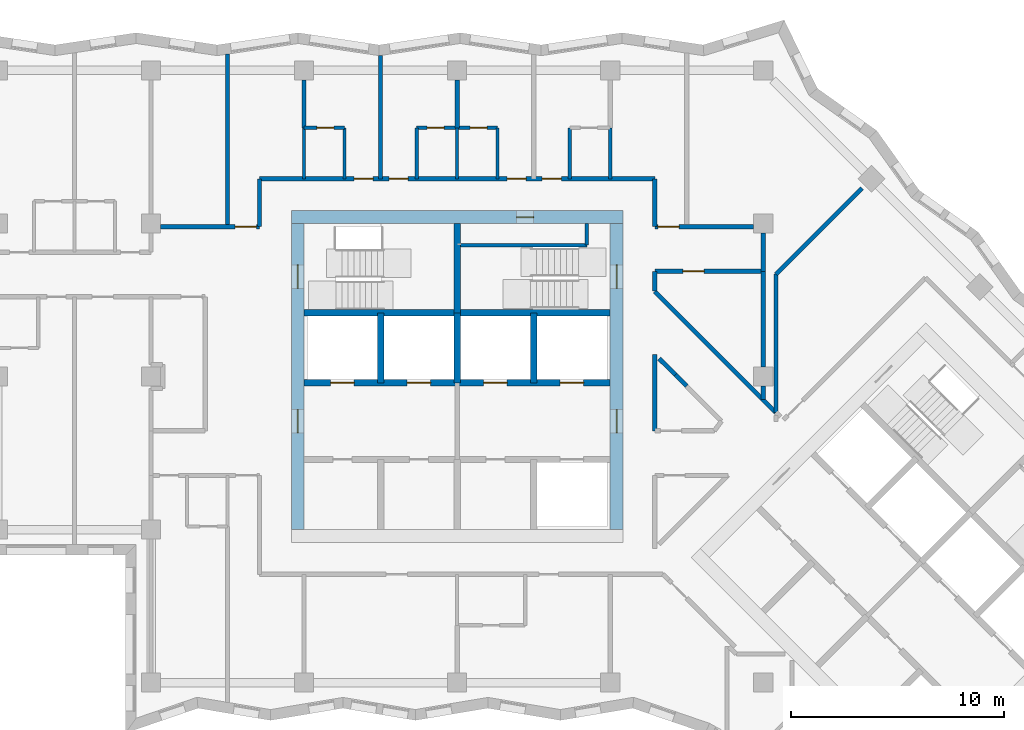
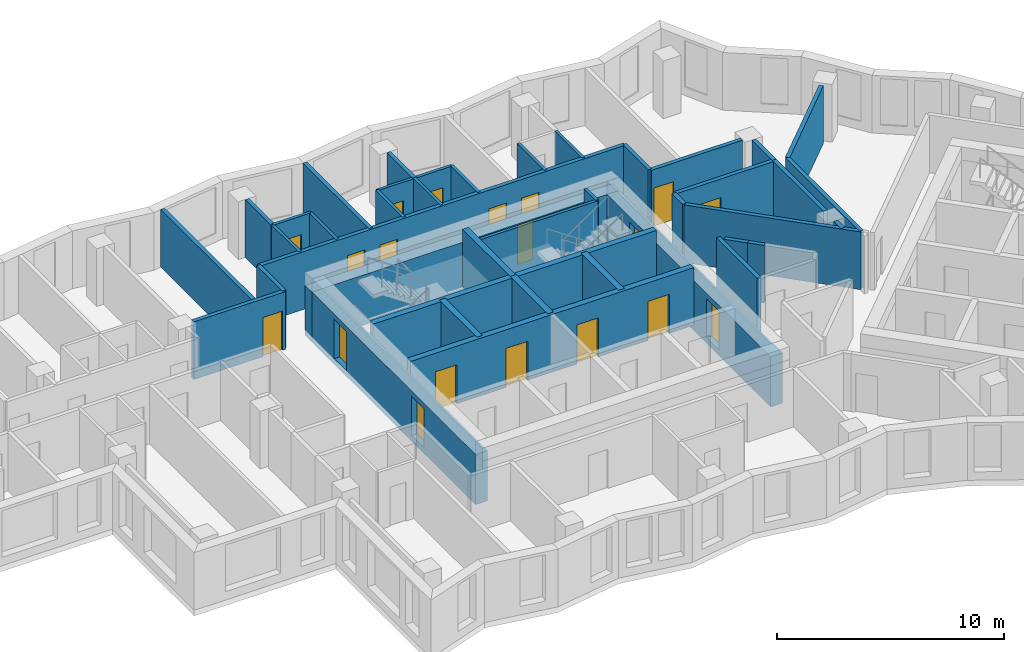
# One storey, part 6 of 12: 41 walls, 19 doors, 19 openings.
"""IFC4 building model written with IfcOpenShell, lengths in metres."""

from ifc_helpers import new_model, si_unit, direction, frame, frame_2d, origin, place, context, subcontext, project, spatial, rectangle, extrude, material, layer, layer_set, type_object, element, fill, save


model = new_model("IFC4")

# Units and contexts
model_context = context("Model", 3, precision=1e-05, world=origin(), true_north=direction((0.0, 1.0)))
body_context = subcontext(model_context, "Body", "Model", "MODEL_VIEW")
ifc_project = project(units=[si_unit("LENGTHUNIT", "METRE"), si_unit("AREAUNIT", "SQUARE_METRE"), si_unit("VOLUMEUNIT", "CUBIC_METRE"), si_unit("PLANEANGLEUNIT", "RADIAN"), si_unit("MASSUNIT", "GRAM", prefix="KILO")], contexts=[model_context])

# Site, building, storey
site_placement = place(None, origin())
site = spatial("IfcSite", under=ifc_project, at=site_placement, CompositionType="ELEMENT")
building_placement = place(site_placement, origin())
building = spatial("IfcBuilding", under=site, at=building_placement, Name="Windrow Commons", CompositionType="ELEMENT")
storey_placement = place(building_placement, frame((0.0, 0.0, 166.0)))
storey = spatial("IfcBuildingStorey", under=building, at=storey_placement, Name="L45", CompositionType="ELEMENT", Elevation=166.0)

# Wall, openings, doors
ifc_material_1 = material(Name="Blockwork partition", Category="masonry")
ifc_layer_1 = layer(ifc_material_1, 0.2)
ifc_layer_set_1 = layer_set([ifc_layer_1], Name="IW-CORRIDOR-200")
wall_type_1 = type_object("IfcWallType", Name="IW-CORRIDOR-200", PredefinedType="PARTITIONING", material=ifc_layer_set_1)
wall_1_placement = place(storey_placement, frame((55.5, 66.9, 0.0), z_axis=(0.0, 0.0, 1.0), x_axis=(1.0, 0.0, 0.0)))
wall_1 = element("IfcWall", 1, at=wall_1_placement, inside=storey, type_object=wall_type_1, Name="W-L45-W002", PredefinedType="PARTITIONING", context=body_context, shape_type="SweptSolid", body=[
    extrude(rectangle(XDim=18.6, YDim=0.2, at=frame_2d((9.3, 0.0))), origin(), (0.0, 0.0, 1.0), 3.1),
])
opening_1_placement = place(wall_1_placement, frame((4.45, 0.0, 0.0)))
opening_1 = element("IfcOpeningElement", 2, at=opening_1_placement, cuts=wall_1, Name="Opening D109S", PredefinedType="OPENING", context=body_context, shape_type="SweptSolid", body=[
    extrude(rectangle(XDim=0.9, YDim=2.1, at=frame_2d((0.45, 1.05))), frame((0.0, 0.11, 0.0), z_axis=(0.0, -1.0, 0.0), x_axis=(1.0, 0.0, 0.0)), (0.0, 0.0, 1.0), 0.22),
])
opening_2_placement = place(wall_1_placement, frame((6.1, 0.0, 0.0)))
opening_2 = element("IfcOpeningElement", 3, at=opening_2_placement, cuts=wall_1, Name="Opening D109S", PredefinedType="OPENING", context=body_context, shape_type="SweptSolid", body=[
    extrude(rectangle(XDim=0.9, YDim=2.1, at=frame_2d((0.45, 1.05))), frame((0.0, 0.11, 0.0), z_axis=(0.0, -1.0, 0.0), x_axis=(1.0, 0.0, 0.0)), (0.0, 0.0, 1.0), 0.22),
])
opening_3_placement = place(wall_1_placement, frame((11.65, 0.0, 0.0)))
opening_3 = element("IfcOpeningElement", 4, at=opening_3_placement, cuts=wall_1, Name="Opening D109S", PredefinedType="OPENING", context=body_context, shape_type="SweptSolid", body=[
    extrude(rectangle(XDim=0.9, YDim=2.1, at=frame_2d((0.45, 1.05))), frame((0.0, 0.11, 0.0), z_axis=(0.0, -1.0, 0.0), x_axis=(1.0, 0.0, 0.0)), (0.0, 0.0, 1.0), 0.22),
])
opening_4_placement = place(wall_1_placement, frame((13.3, 0.0, 0.0)))
opening_4 = element("IfcOpeningElement", 5, at=opening_4_placement, cuts=wall_1, Name="Opening D109S", PredefinedType="OPENING", context=body_context, shape_type="SweptSolid", body=[
    extrude(rectangle(XDim=0.9, YDim=2.1, at=frame_2d((0.45, 1.05))), frame((0.0, 0.11, 0.0), z_axis=(0.0, -1.0, 0.0), x_axis=(1.0, 0.0, 0.0)), (0.0, 0.0, 1.0), 0.22),
])
ifc_material_2 = material(Name="Timber door leaf", Category="wood")
door_type_1 = type_object("IfcDoorType", Name="DT-BEDROOM-900", OperationType="SINGLE_SWING_LEFT", PredefinedType="DOOR", material=ifc_material_2)
door_1_placement = place(opening_1_placement, origin())
door_1 = element("IfcDoor", 6, at=door_1_placement, inside=storey, type_object=door_type_1, Name="D-L45-D028", OperationType="SINGLE_SWING_RIGHT", OverallHeight=2.1, OverallWidth=0.9, PredefinedType="DOOR", context=body_context, shape_type="SweptSolid", body=[
    extrude(rectangle(XDim=0.9, YDim=2.1, at=frame_2d((0.45, 1.05))), frame((0.0, 0.025, 0.0), z_axis=(0.0, -1.0, 0.0), x_axis=(1.0, 0.0, 0.0)), (0.0, 0.0, 1.0), 0.05),
])
fill(opening_1, door_1)
door_2_placement = place(opening_2_placement, origin())
door_2 = element("IfcDoor", 7, at=door_2_placement, inside=storey, type_object=door_type_1, Name="D-L45-D030", OperationType="SINGLE_SWING_LEFT", OverallHeight=2.1, OverallWidth=0.9, PredefinedType="DOOR", context=body_context, shape_type="SweptSolid", body=[
    extrude(rectangle(XDim=0.9, YDim=2.1, at=frame_2d((0.45, 1.05))), frame((0.0, 0.025, 0.0), z_axis=(0.0, -1.0, 0.0), x_axis=(1.0, 0.0, 0.0)), (0.0, 0.0, 1.0), 0.05),
])
fill(opening_2, door_2)
door_3_placement = place(opening_3_placement, origin())
door_3 = element("IfcDoor", 8, at=door_3_placement, inside=storey, type_object=door_type_1, Name="D-L45-D032", OperationType="SINGLE_SWING_RIGHT", OverallHeight=2.1, OverallWidth=0.9, PredefinedType="DOOR", context=body_context, shape_type="SweptSolid", body=[
    extrude(rectangle(XDim=0.9, YDim=2.1, at=frame_2d((0.45, 1.05))), frame((0.0, 0.025, 0.0), z_axis=(0.0, -1.0, 0.0), x_axis=(1.0, 0.0, 0.0)), (0.0, 0.0, 1.0), 0.05),
])
fill(opening_3, door_3)
door_4_placement = place(opening_4_placement, origin())
door_4 = element("IfcDoor", 9, at=door_4_placement, inside=storey, type_object=door_type_1, Name="D-L45-D034", OperationType="SINGLE_SWING_LEFT", OverallHeight=2.1, OverallWidth=0.9, PredefinedType="DOOR", context=body_context, shape_type="SweptSolid", body=[
    extrude(rectangle(XDim=0.9, YDim=2.1, at=frame_2d((0.45, 1.05))), frame((0.0, 0.025, 0.0), z_axis=(0.0, -1.0, 0.0), x_axis=(1.0, 0.0, 0.0)), (0.0, 0.0, 1.0), 0.05),
])
fill(opening_4, door_4)

# Wall
wall_2_placement = place(storey_placement, frame((74.097, 61.611, 0.0), z_axis=(0.0, 0.0, 1.0), x_axis=(0.7071067812, -0.7071067812, 0.0)))
element("IfcWall", 10, at=wall_2_placement, inside=storey, type_object=wall_type_1, Name="W-L45-W016", PredefinedType="PARTITIONING", context=body_context, shape_type="SweptSolid", body=[
    extrude(rectangle(XDim=8.061, YDim=0.2, at=frame_2d((4.0305, 0.0))), origin(), (0.0, 0.0, 1.0), 3.1),
])

# Wall, opening, door
wall_3_placement = place(storey_placement, frame((74.102, 62.55, 0.0), z_axis=(0.0, 0.0, 1.0), x_axis=(1.0, 0.0, 0.0)))
wall_3 = element("IfcWall", 11, at=wall_3_placement, inside=storey, type_object=wall_type_1, Name="W-L45-W036", PredefinedType="PARTITIONING", context=body_context, shape_type="SweptSolid", body=[
    extrude(rectangle(XDim=5.098, YDim=0.2, at=frame_2d((2.549, 0.0))), origin(), (0.0, 0.0, 1.0), 3.1),
])
opening_5_placement = place(wall_3_placement, frame((1.3192, 0.0, 0.0)))
opening_5 = element("IfcOpeningElement", 12, at=opening_5_placement, cuts=wall_3, Name="Opening D310F", PredefinedType="OPENING", context=body_context, shape_type="SweptSolid", body=[
    extrude(rectangle(XDim=1.0, YDim=2.1, at=frame_2d((0.5, 1.05))), frame((0.0, 0.11, 0.0), z_axis=(0.0, -1.0, 0.0), x_axis=(1.0, 0.0, 0.0)), (0.0, 0.0, 1.0), 0.22),
])
ifc_material_3 = material(Name="Timber door leaf", Category="wood")
door_type_2 = type_object("IfcDoorType", Name="DT-AMENITY-1000", OperationType="SINGLE_SWING_LEFT", PredefinedType="DOOR", material=ifc_material_3)
door_5_placement = place(opening_5_placement, origin())
door_5 = element("IfcDoor", 13, at=door_5_placement, inside=storey, type_object=door_type_2, Name="D-L45-D040", OperationType="SINGLE_SWING_RIGHT", OverallHeight=2.1, OverallWidth=1.0, PredefinedType="DOOR", context=body_context, shape_type="SweptSolid", body=[
    extrude(rectangle(XDim=1.0, YDim=2.1, at=frame_2d((0.5, 1.05))), frame((0.0, 0.025, 0.0), z_axis=(0.0, -1.0, 0.0), x_axis=(1.0, 0.0, 0.0)), (0.0, 0.0, 1.0), 0.05),
])
fill(opening_5, door_5)

wall_4_placement = place(storey_placement, frame((50.85, 64.65, 0.0), z_axis=(0.0, 0.0, 1.0), x_axis=(1.0, 0.0, 0.0)))
wall_4 = element("IfcWall", 14, at=wall_4_placement, inside=storey, type_object=wall_type_1, Name="W-L45-W040", PredefinedType="PARTITIONING", context=body_context, shape_type="SweptSolid", body=[
    extrude(rectangle(XDim=4.65, YDim=0.2, at=frame_2d((2.325, 0.0))), origin(), (0.0, 0.0, 1.0), 3.1),
])
opening_6_placement = place(wall_4_placement, frame((3.5085, 0.0, 0.0)))
opening_6 = element("IfcOpeningElement", 15, at=opening_6_placement, cuts=wall_4, Name="Opening D310F", PredefinedType="OPENING", context=body_context, shape_type="SweptSolid", body=[
    extrude(rectangle(XDim=1.0, YDim=2.1, at=frame_2d((0.5, 1.05))), frame((0.0, 0.11, 0.0), z_axis=(0.0, -1.0, 0.0), x_axis=(1.0, 0.0, 0.0)), (0.0, 0.0, 1.0), 0.22),
])
door_6_placement = place(opening_6_placement, origin())
door_6 = element("IfcDoor", 16, at=door_6_placement, inside=storey, type_object=door_type_2, Name="D-L45-D022", OperationType="SINGLE_SWING_LEFT", OverallHeight=2.1, OverallWidth=1.0, PredefinedType="DOOR", context=body_context, shape_type="SweptSolid", body=[
    extrude(rectangle(XDim=1.0, YDim=2.1, at=frame_2d((0.5, 1.05))), frame((0.0, 0.025, 0.0), z_axis=(0.0, -1.0, 0.0), x_axis=(1.0, 0.0, 0.0)), (0.0, 0.0, 1.0), 0.05),
])
fill(opening_6, door_6)

wall_5_placement = place(storey_placement, frame((74.102, 64.65, 0.0), z_axis=(0.0, 0.0, 1.0), x_axis=(1.0, 0.0, 0.0)))
wall_5 = element("IfcWall", 17, at=wall_5_placement, inside=storey, type_object=wall_type_1, Name="W-L45-W043", PredefinedType="PARTITIONING", context=body_context, shape_type="SweptSolid", body=[
    extrude(rectangle(XDim=4.648, YDim=0.2, at=frame_2d((2.324, 0.0))), origin(), (0.0, 0.0, 1.0), 3.1),
])
opening_7_placement = place(wall_5_placement, frame((0.1395, 0.0, 0.0)))
opening_7 = element("IfcOpeningElement", 18, at=opening_7_placement, cuts=wall_5, Name="Opening D310F", PredefinedType="OPENING", context=body_context, shape_type="SweptSolid", body=[
    extrude(rectangle(XDim=1.0, YDim=2.1, at=frame_2d((0.5, 1.05))), frame((0.0, 0.11, 0.0), z_axis=(0.0, -1.0, 0.0), x_axis=(1.0, 0.0, 0.0)), (0.0, 0.0, 1.0), 0.22),
])
door_7_placement = place(opening_7_placement, origin())
door_7 = element("IfcDoor", 19, at=door_7_placement, inside=storey, type_object=door_type_2, Name="D-L45-D023", OperationType="SINGLE_SWING_RIGHT", OverallHeight=2.1, OverallWidth=1.0, PredefinedType="DOOR", context=body_context, shape_type="SweptSolid", body=[
    extrude(rectangle(XDim=1.0, YDim=2.1, at=frame_2d((0.5, 1.05))), frame((0.0, 0.025, 0.0), z_axis=(0.0, -1.0, 0.0), x_axis=(1.0, 0.0, 0.0)), (0.0, 0.0, 1.0), 0.05),
])
fill(opening_7, door_7)

# Walls
wall_6_placement = place(storey_placement, frame((74.1, 55.05, 0.0), z_axis=(0.0, 0.0, 1.0), x_axis=(0.0, 1.0, 0.0)))
element("IfcWall", 20, at=wall_6_placement, inside=storey, type_object=wall_type_1, Name="W-L45-W054", PredefinedType="PARTITIONING", context=body_context, shape_type="SweptSolid", body=[
    extrude(rectangle(XDim=3.592, YDim=0.2, at=frame_2d((1.796, 0.0))), origin(), (0.0, 0.0, 1.0), 3.1),
])
for number, where, z_axis, x_axis, name in (
    (21, (55.5, 64.652, 0.0), (0.0, 0.0, 1.0), (0.0, 1.0, 0.0), "W-L45-W106"),
    (22, (74.1, 64.652, 0.0), (0.0, 0.0, 1.0), (0.0, 1.0, 0.0), "W-L45-W107"),
):
    element("IfcWall", number, at=place(storey_placement, frame(where, z_axis=z_axis, x_axis=x_axis)), inside=storey, type_object=wall_type_1, Name=name, PredefinedType="PARTITIONING", context=body_context, shape_type="SweptSolid", body=[
        extrude(rectangle(XDim=2.248, YDim=0.2, at=frame_2d((1.124, 0.0))), origin(), (0.0, 0.0, 1.0), 3.1),
    ])
wall_7_placement = place(storey_placement, frame((79.2, 62.55, 0.0), z_axis=(0.0, 0.0, 1.0), x_axis=(0.0, 1.0, 0.0)))
element("IfcWall", 23, at=wall_7_placement, inside=storey, type_object=wall_type_1, Name="W-L45-W127", PredefinedType="PARTITIONING", context=body_context, shape_type="SweptSolid", body=[
    extrude(rectangle(XDim=1.8, YDim=0.2, at=frame_2d((0.9, 0.0))), origin(), (0.0, 0.0, 1.0), 3.1),
])
wall_8_placement = place(storey_placement, frame((74.3004, 58.4444, 0.0), z_axis=(0.0, 0.0, 1.0), x_axis=(0.7080329185, -0.7061794292, 0.0)))
element("IfcWall", 24, at=wall_8_placement, inside=storey, type_object=wall_type_1, Name="W-L45-W131", PredefinedType="PARTITIONING", context=body_context, shape_type="SweptSolid", body=[
    extrude(rectangle(XDim=1.079, YDim=0.2, at=frame_2d((0.5395, 0.0))), origin(), (0.0, 0.0, 1.0), 3.1),
])
wall_9_placement = place(storey_placement, frame((74.1, 61.614, 0.0), z_axis=(0.0, 0.0, 1.0), x_axis=(0.0, 1.0, 0.0)))
element("IfcWall", 25, at=wall_9_placement, inside=storey, type_object=wall_type_1, Name="W-L45-W136", PredefinedType="PARTITIONING", context=body_context, shape_type="SweptSolid", body=[
    extrude(rectangle(XDim=0.936, YDim=0.2, at=frame_2d((0.468, 0.0))), origin(), (0.0, 0.0, 1.0), 3.1),
])
wall_10_placement = place(storey_placement, frame((75.0652, 57.6832, 0.0), z_axis=(0.0, 0.0, 1.0), x_axis=(0.705788785, -0.7084223253, 0.0)))
element("IfcWall", 26, at=wall_10_placement, inside=storey, type_object=wall_type_1, Name="W-L45-W143", PredefinedType="PARTITIONING", context=body_context, shape_type="SweptSolid", body=[
    extrude(rectangle(XDim=0.7594, YDim=0.2, at=frame_2d((0.3797, 0.0))), origin(), (0.0, 0.0, 1.0), 3.1),
])

# Wall, openings, doors
ifc_material_4 = material(Name="Blockwork partition", Category="masonry")
ifc_layer_2 = layer(ifc_material_4, 0.15)
ifc_layer_set_2 = layer_set([ifc_layer_2], Name="IW-ENSUITE-150")
wall_type_2 = type_object("IfcWallType", Name="IW-ENSUITE-150", PredefinedType="PARTITIONING", material=ifc_layer_set_2)
wall_11_placement = place(storey_placement, frame((62.9, 69.3, 0.0), z_axis=(0.0, 0.0, 1.0), x_axis=(1.0, 0.0, 0.0)))
wall_11 = element("IfcWall", 27, at=wall_11_placement, inside=storey, type_object=wall_type_2, Name="W-L45-W052", PredefinedType="PARTITIONING", context=body_context, shape_type="SweptSolid", body=[
    extrude(rectangle(XDim=3.8, YDim=0.15, at=frame_2d((1.9, 0.0))), origin(), (0.0, 0.0, 1.0), 3.1),
])
opening_8_placement = place(wall_11_placement, frame((0.4931, 0.0, 0.0)))
opening_8 = element("IfcOpeningElement", 28, at=opening_8_placement, cuts=wall_11, Name="Opening D208N", PredefinedType="OPENING", context=body_context, shape_type="SweptSolid", body=[
    extrude(rectangle(XDim=0.8, YDim=2.1, at=frame_2d((0.4, 1.05))), frame((0.0, 0.085, 0.0), z_axis=(0.0, -1.0, 0.0), x_axis=(1.0, 0.0, 0.0)), (0.0, 0.0, 1.0), 0.17),
])
opening_9_placement = place(wall_11_placement, frame((2.5069, 0.0, 0.0)))
opening_9 = element("IfcOpeningElement", 29, at=opening_9_placement, cuts=wall_11, Name="Opening D208N", PredefinedType="OPENING", context=body_context, shape_type="SweptSolid", body=[
    extrude(rectangle(XDim=0.8, YDim=2.1, at=frame_2d((0.4, 1.05))), frame((0.0, 0.085, 0.0), z_axis=(0.0, -1.0, 0.0), x_axis=(1.0, 0.0, 0.0)), (0.0, 0.0, 1.0), 0.17),
])
ifc_material_5 = material(Name="Timber door leaf", Category="wood")
door_type_3 = type_object("IfcDoorType", Name="DT-ENSUITE-800", OperationType="SINGLE_SWING_LEFT", PredefinedType="DOOR", material=ifc_material_5)
door_8_placement = place(opening_8_placement, origin())
door_8 = element("IfcDoor", 30, at=door_8_placement, inside=storey, type_object=door_type_3, Name="D-L45-D031", OperationType="SINGLE_SWING_RIGHT", OverallHeight=2.1, OverallWidth=0.8, PredefinedType="DOOR", context=body_context, shape_type="SweptSolid", body=[
    extrude(rectangle(XDim=0.8, YDim=2.1, at=frame_2d((0.4, 1.05))), frame((0.0, 0.025, 0.0), z_axis=(0.0, -1.0, 0.0), x_axis=(1.0, 0.0, 0.0)), (0.0, 0.0, 1.0), 0.05),
])
fill(opening_8, door_8)
door_9_placement = place(opening_9_placement, origin())
door_9 = element("IfcDoor", 31, at=door_9_placement, inside=storey, type_object=door_type_3, Name="D-L45-D033", OperationType="SINGLE_SWING_RIGHT", OverallHeight=2.1, OverallWidth=0.8, PredefinedType="DOOR", context=body_context, shape_type="SweptSolid", body=[
    extrude(rectangle(XDim=0.8, YDim=2.1, at=frame_2d((0.4, 1.05))), frame((0.0, 0.025, 0.0), z_axis=(0.0, -1.0, 0.0), x_axis=(1.0, 0.0, 0.0)), (0.0, 0.0, 1.0), 0.05),
])
fill(opening_9, door_9)

# Walls
for number, where, z_axis, x_axis, name in (
    (32, (57.6, 66.9, 0.0), (0.0, 0.0, 1.0), (0.0, 1.0, 0.0), "W-L45-W086"),
    (33, (59.5, 66.9, 0.0), (0.0, 0.0, 1.0), (0.0, 1.0, 0.0), "W-L45-W087"),
    (34, (62.9, 66.9, 0.0), (0.0, 0.0, 1.0), (0.0, 1.0, 0.0), "W-L45-W088"),
    (35, (64.8, 66.9, 0.0), (0.0, 0.0, 1.0), (0.0, 1.0, 0.0), "W-L45-W089"),
    (36, (66.7, 66.9, 0.0), (0.0, 0.0, 1.0), (0.0, 1.0, 0.0), "W-L45-W090"),
    (37, (70.1, 66.9, 0.0), (0.0, 0.0, 1.0), (0.0, 1.0, 0.0), "W-L45-W091"),
    (38, (72.0, 66.9, 0.0), (0.0, 0.0, 1.0), (0.0, 1.0, 0.0), "W-L45-W092"),
):
    element("IfcWall", number, at=place(storey_placement, frame(where, z_axis=z_axis, x_axis=x_axis)), inside=storey, type_object=wall_type_2, Name=name, PredefinedType="PARTITIONING", context=body_context, shape_type="SweptSolid", body=[
        extrude(rectangle(XDim=2.4, YDim=0.15, at=frame_2d((1.2, 0.0))), origin(), (0.0, 0.0, 1.0), 3.1),
    ])

# Wall, opening, door
wall_12_placement = place(storey_placement, frame((57.6, 69.3, 0.0), z_axis=(0.0, 0.0, 1.0), x_axis=(1.0, 0.0, 0.0)))
wall_12 = element("IfcWall", 39, at=wall_12_placement, inside=storey, type_object=wall_type_2, Name="W-L45-W124", PredefinedType="PARTITIONING", context=body_context, shape_type="SweptSolid", body=[
    extrude(rectangle(XDim=1.9, YDim=0.15, at=frame_2d((0.95, 0.0))), origin(), (0.0, 0.0, 1.0), 3.1),
])
opening_10_placement = place(wall_12_placement, frame((0.6069, 0.0, 0.0)))
opening_10 = element("IfcOpeningElement", 40, at=opening_10_placement, cuts=wall_12, Name="Opening D208N", PredefinedType="OPENING", context=body_context, shape_type="SweptSolid", body=[
    extrude(rectangle(XDim=0.8, YDim=2.1, at=frame_2d((0.4, 1.05))), frame((0.0, 0.085, 0.0), z_axis=(0.0, -1.0, 0.0), x_axis=(1.0, 0.0, 0.0)), (0.0, 0.0, 1.0), 0.17),
])
door_10_placement = place(opening_10_placement, origin())
door_10 = element("IfcDoor", 41, at=door_10_placement, inside=storey, type_object=door_type_3, Name="D-L45-D029", OperationType="SINGLE_SWING_RIGHT", OverallHeight=2.1, OverallWidth=0.8, PredefinedType="DOOR", context=body_context, shape_type="SweptSolid", body=[
    extrude(rectangle(XDim=0.8, YDim=2.1, at=frame_2d((0.4, 1.05))), frame((0.0, 0.025, 0.0), z_axis=(0.0, -1.0, 0.0), x_axis=(1.0, 0.0, 0.0)), (0.0, 0.0, 1.0), 0.05),
])
fill(opening_10, door_10)

# Walls
ifc_material_6 = material(Name="Blockwork partition", Category="masonry")
ifc_layer_3 = layer(ifc_material_6, 0.2)
ifc_layer_set_3 = layer_set([ifc_layer_3], Name="IW-PARTY-200")
wall_type_3 = type_object("IfcWallType", Name="IW-PARTY-200", PredefinedType="PARTITIONING", material=ifc_layer_set_3)
wall_13_placement = place(storey_placement, frame((54.0, 64.65, 0.0), z_axis=(0.0, 0.0, 1.0), x_axis=(0.0, 1.0, 0.0)))
element("IfcWall", 42, at=wall_13_placement, inside=storey, type_object=wall_type_3, Name="W-L45-W015", PredefinedType="PARTITIONING", context=body_context, shape_type="SweptSolid", body=[
    extrude(rectangle(XDim=8.1172, YDim=0.2, at=frame_2d((4.0586, 0.0))), origin(), (0.0, 0.0, 1.0), 3.1),
])
wall_14_placement = place(storey_placement, frame((79.8, 55.914, 0.0), z_axis=(0.0, 0.0, 1.0), x_axis=(0.0, 1.0, 0.0)))
element("IfcWall", 43, at=wall_14_placement, inside=storey, type_object=wall_type_3, Name="W-L45-W021", PredefinedType="PARTITIONING", context=body_context, shape_type="SweptSolid", body=[
    extrude(rectangle(XDim=6.504, YDim=0.2, at=frame_2d((3.252, 0.0))), origin(), (0.0, 0.0, 1.0), 3.1),
])
wall_15_placement = place(storey_placement, frame((61.2, 66.9, 0.0), z_axis=(0.0, 0.0, 1.0), x_axis=(0.0, 1.0, 0.0)))
element("IfcWall", 44, at=wall_15_placement, inside=storey, type_object=wall_type_3, Name="W-L45-W031", PredefinedType="PARTITIONING", context=body_context, shape_type="SweptSolid", body=[
    extrude(rectangle(XDim=5.8043, YDim=0.2, at=frame_2d((2.9021, 0.0))), origin(), (0.0, 0.0, 1.0), 3.1),
])
wall_16_placement = place(storey_placement, frame((79.7993, 62.4187, 0.0), z_axis=(0.0, 0.0, 1.0), x_axis=(0.7071067812, 0.7071067812, 0.0)))
element("IfcWall", 45, at=wall_16_placement, inside=storey, type_object=wall_type_3, Name="W-L45-W032", PredefinedType="PARTITIONING", context=body_context, shape_type="SweptSolid", body=[
    extrude(rectangle(XDim=5.7163, YDim=0.2, at=frame_2d((2.8582, 0.0))), origin(), (0.0, 0.0, 1.0), 3.1),
])
wall_17_placement = place(storey_placement, frame((79.2, 58.05, 0.0), z_axis=(0.0, 0.0, 1.0), x_axis=(0.0, 1.0, 0.0)))
element("IfcWall", 46, at=wall_17_placement, inside=storey, type_object=wall_type_3, Name="W-L45-W046", PredefinedType="PARTITIONING", context=body_context, shape_type="SweptSolid", body=[
    extrude(rectangle(XDim=4.5, YDim=0.2, at=frame_2d((2.25, 0.0))), origin(), (0.0, 0.0, 1.0), 3.1),
])
for number, where, z_axis, x_axis, name in (
    (47, (57.6, 69.3, 0.0), (0.0, 0.0, 1.0), (0.0, 1.0, 0.0), "W-L45-W102"),
    (48, (64.8, 69.3, 0.0), (0.0, 0.0, 1.0), (0.0, 1.0, 0.0), "W-L45-W104"),
):
    element("IfcWall", number, at=place(storey_placement, frame(where, z_axis=z_axis, x_axis=x_axis)), inside=storey, type_object=wall_type_3, Name=name, PredefinedType="PARTITIONING", context=body_context, shape_type="SweptSolid", body=[
        extrude(rectangle(XDim=2.25, YDim=0.2, at=frame_2d((1.125, 0.0))), origin(), (0.0, 0.0, 1.0), 3.1),
    ])
wall_18_placement = place(storey_placement, frame((79.2, 56.514, 0.0), z_axis=(0.0, 0.0, 1.0), x_axis=(0.0, 1.0, 0.0)))
element("IfcWall", 49, at=wall_18_placement, inside=storey, type_object=wall_type_3, Name="W-L45-W148", PredefinedType="PARTITIONING", context=body_context, shape_type="SweptSolid", body=[
    extrude(rectangle(XDim=0.636, YDim=0.2, at=frame_2d((0.318, 0.0))), origin(), (0.0, 0.0, 1.0), 3.1),
])

# Wall, opening, door
ifc_material_7 = material(Name="Concrete C50/60", Category="concrete")
ifc_layer_4 = layer(ifc_material_7, 0.6)
ifc_layer_set_4 = layer_set([ifc_layer_4], Name="RC CORE WALL 600 C50/60")
wall_type_4 = type_object("IfcWallType", Name="RC CORE WALL 600 C50/60", PredefinedType="SHEAR", material=ifc_layer_set_4)
wall_19_placement = place(storey_placement, frame((57.0, 65.1, -0.3), z_axis=(0.0, 0.0, 1.0), x_axis=(1.0, 0.0, 0.0)))
wall_19 = element("IfcWall", 50, at=wall_19_placement, inside=storey, type_object=wall_type_4, Name="Core A wall outer-N", PredefinedType="SHEAR", context=body_context, shape_type="SweptSolid", body=[
    extrude(rectangle(XDim=15.6, YDim=0.6, at=frame_2d((7.8, 0.0))), origin(), (0.0, 0.0, 1.0), 2.7),
])
opening_11_placement = place(wall_19_placement, frame((10.6, 0.0, 0.3)))
opening_11 = element("IfcOpeningElement", 51, at=opening_11_placement, cuts=wall_19, Name="Opening D9", PredefinedType="OPENING", context=body_context, shape_type="SweptSolid", body=[
    extrude(rectangle(XDim=0.8, YDim=2.1, at=frame_2d((0.4, 1.05))), frame((0.0, 0.31, 0.0), z_axis=(0.0, -1.0, 0.0), x_axis=(1.0, 0.0, 0.0)), (0.0, 0.0, 1.0), 0.62),
])
ifc_material_8 = material(Name="Steel fire door leaf", Category="steel")
door_type_4 = type_object("IfcDoorType", Name="Riser access door 800", OperationType="SINGLE_SWING_LEFT", PredefinedType="DOOR", material=ifc_material_8)
door_11_placement = place(opening_11_placement, origin())
door_11 = element("IfcDoor", 52, at=door_11_placement, inside=storey, type_object=door_type_4, Name="Riser access door", OperationType="SINGLE_SWING_RIGHT", OverallHeight=2.1, OverallWidth=0.8, PredefinedType="DOOR", context=body_context, shape_type="SweptSolid", body=[
    extrude(rectangle(XDim=0.8, YDim=2.1, at=frame_2d((0.4, 1.05))), frame((0.0, 0.025, 0.0), z_axis=(0.0, -1.0, 0.0), x_axis=(1.0, 0.0, 0.0)), (0.0, 0.0, 1.0), 0.05),
])
fill(opening_11, door_11)

# Wall, openings, doors
wall_20_placement = place(storey_placement, frame((57.3, 50.4, -0.3), z_axis=(0.0, 0.0, 1.0), x_axis=(0.0, 1.0, 0.0)))
wall_20 = element("IfcWall", 53, at=wall_20_placement, inside=storey, type_object=wall_type_4, Name="Core A wall outer-W", PredefinedType="SHEAR", context=body_context, shape_type="SweptSolid", body=[
    extrude(rectangle(XDim=14.4, YDim=0.6, at=frame_2d((7.2, 0.0))), origin(), (0.0, 0.0, 1.0), 2.7),
])
opening_12_placement = place(wall_20_placement, frame((4.55, 0.0, 0.3)))
opening_12 = element("IfcOpeningElement", 54, at=opening_12_placement, cuts=wall_20, Name="Opening D6", PredefinedType="OPENING", context=body_context, shape_type="SweptSolid", body=[
    extrude(rectangle(XDim=1.1, YDim=2.1, at=frame_2d((0.55, 1.05))), frame((0.0, 0.31, 0.0), z_axis=(0.0, -1.0, 0.0), x_axis=(1.0, 0.0, 0.0)), (0.0, 0.0, 1.0), 0.62),
])
opening_13_placement = place(wall_20_placement, frame((11.35, 0.0, 0.3)))
opening_13 = element("IfcOpeningElement", 55, at=opening_13_placement, cuts=wall_20, Name="Opening D7", PredefinedType="OPENING", context=body_context, shape_type="SweptSolid", body=[
    extrude(rectangle(XDim=1.1, YDim=2.1, at=frame_2d((0.55, 1.05))), frame((0.0, 0.31, 0.0), z_axis=(0.0, -1.0, 0.0), x_axis=(1.0, 0.0, 0.0)), (0.0, 0.0, 1.0), 0.62),
])
ifc_material_9 = material(Name="Steel fire door leaf", Category="steel")
door_type_5 = type_object("IfcDoorType", Name="Core lobby door 1100", OperationType="SINGLE_SWING_LEFT", PredefinedType="DOOR", material=ifc_material_9)
door_12_placement = place(opening_12_placement, origin())
door_12 = element("IfcDoor", 56, at=door_12_placement, inside=storey, type_object=door_type_5, Name="Lift lobby door", OperationType="DOUBLE_DOOR_SINGLE_SWING", OverallHeight=2.1, OverallWidth=1.1, PredefinedType="DOOR", context=body_context, shape_type="SweptSolid", body=[
    extrude(rectangle(XDim=1.1, YDim=2.1, at=frame_2d((0.55, 1.05))), frame((0.0, 0.025, 0.0), z_axis=(0.0, -1.0, 0.0), x_axis=(1.0, 0.0, 0.0)), (0.0, 0.0, 1.0), 0.05),
])
fill(opening_12, door_12)
ifc_material_10 = material(Name="Steel fire door leaf", Category="steel")
door_type_6 = type_object("IfcDoorType", Name="Stair door 1100", OperationType="SINGLE_SWING_LEFT", PredefinedType="DOOR", material=ifc_material_10)
door_13_placement = place(opening_13_placement, origin())
door_13 = element("IfcDoor", 57, at=door_13_placement, inside=storey, type_object=door_type_6, Name="Stair door", OperationType="SINGLE_SWING_LEFT", OverallHeight=2.1, OverallWidth=1.1, PredefinedType="DOOR", context=body_context, shape_type="SweptSolid", body=[
    extrude(rectangle(XDim=1.1, YDim=2.1, at=frame_2d((0.55, 1.05))), frame((0.0, 0.025, 0.0), z_axis=(0.0, -1.0, 0.0), x_axis=(1.0, 0.0, 0.0)), (0.0, 0.0, 1.0), 0.05),
])
fill(opening_13, door_13)

wall_21_placement = place(storey_placement, frame((72.3, 50.4, -0.3), z_axis=(0.0, 0.0, 1.0), x_axis=(0.0, 1.0, 0.0)))
wall_21 = element("IfcWall", 58, at=wall_21_placement, inside=storey, type_object=wall_type_4, Name="Core A wall outer-E", PredefinedType="SHEAR", context=body_context, shape_type="SweptSolid", body=[
    extrude(rectangle(XDim=14.4, YDim=0.6, at=frame_2d((7.2, 0.0))), origin(), (0.0, 0.0, 1.0), 2.7),
])
opening_14_placement = place(wall_21_placement, frame((4.55, 0.0, 0.3)))
opening_14 = element("IfcOpeningElement", 59, at=opening_14_placement, cuts=wall_21, Name="Opening D6", PredefinedType="OPENING", context=body_context, shape_type="SweptSolid", body=[
    extrude(rectangle(XDim=1.1, YDim=2.1, at=frame_2d((0.55, 1.05))), frame((0.0, 0.31, 0.0), z_axis=(0.0, -1.0, 0.0), x_axis=(1.0, 0.0, 0.0)), (0.0, 0.0, 1.0), 0.62),
])
opening_15_placement = place(wall_21_placement, frame((11.35, 0.0, 0.3)))
opening_15 = element("IfcOpeningElement", 60, at=opening_15_placement, cuts=wall_21, Name="Opening D7", PredefinedType="OPENING", context=body_context, shape_type="SweptSolid", body=[
    extrude(rectangle(XDim=1.1, YDim=2.1, at=frame_2d((0.55, 1.05))), frame((0.0, 0.31, 0.0), z_axis=(0.0, -1.0, 0.0), x_axis=(1.0, 0.0, 0.0)), (0.0, 0.0, 1.0), 0.62),
])
door_14_placement = place(opening_14_placement, origin())
door_14 = element("IfcDoor", 61, at=door_14_placement, inside=storey, type_object=door_type_5, Name="Lift lobby door", OperationType="DOUBLE_DOOR_SINGLE_SWING", OverallHeight=2.1, OverallWidth=1.1, PredefinedType="DOOR", context=body_context, shape_type="SweptSolid", body=[
    extrude(rectangle(XDim=1.1, YDim=2.1, at=frame_2d((0.55, 1.05))), frame((0.0, 0.025, 0.0), z_axis=(0.0, -1.0, 0.0), x_axis=(1.0, 0.0, 0.0)), (0.0, 0.0, 1.0), 0.05),
])
fill(opening_14, door_14)
door_15_placement = place(opening_15_placement, origin())
door_15 = element("IfcDoor", 62, at=door_15_placement, inside=storey, type_object=door_type_6, Name="Stair door", OperationType="SINGLE_SWING_RIGHT", OverallHeight=2.1, OverallWidth=1.1, PredefinedType="DOOR", context=body_context, shape_type="SweptSolid", body=[
    extrude(rectangle(XDim=1.1, YDim=2.1, at=frame_2d((0.55, 1.05))), frame((0.0, 0.025, 0.0), z_axis=(0.0, -1.0, 0.0), x_axis=(1.0, 0.0, 0.0)), (0.0, 0.0, 1.0), 0.05),
])
fill(opening_15, door_15)

# Walls
ifc_material_11 = material(Name="Concrete C50/60", Category="concrete")
ifc_layer_5 = layer(ifc_material_11, 0.3)
ifc_layer_set_5 = layer_set([ifc_layer_5], Name="RC SHAFT WALL 300 C50/60")
wall_type_5 = type_object("IfcWallType", Name="RC SHAFT WALL 300 C50/60", PredefinedType="SOLIDWALL", material=ifc_layer_set_5)
for number, where, z_axis, x_axis, name in (
    (63, (61.2, 57.3, 0.0), (0.0, 0.0, 1.0), (0.0, 1.0, 0.0), "Core A wall shaft-N1"),
    (64, (64.8, 57.3, 0.0), (0.0, 0.0, 1.0), (0.0, 1.0, 0.0), "Core A wall shaft-N2"),
    (65, (68.4, 57.3, 0.0), (0.0, 0.0, 1.0), (0.0, 1.0, 0.0), "Core A wall shaft-N3"),
):
    element("IfcWall", number, at=place(storey_placement, frame(where, z_axis=z_axis, x_axis=x_axis)), inside=storey, type_object=wall_type_5, Name=name, PredefinedType="SOLIDWALL", context=body_context, shape_type="SweptSolid", body=[
        extrude(rectangle(XDim=3.3, YDim=0.3, at=frame_2d((1.65, 0.0))), origin(), (0.0, 0.0, 1.0), 3.1),
    ])

# Wall, openings, doors
wall_22_placement = place(storey_placement, frame((57.6, 57.3, 0.0), z_axis=(0.0, 0.0, 1.0), x_axis=(1.0, 0.0, 0.0)))
wall_22 = element("IfcWall", 66, at=wall_22_placement, inside=storey, type_object=wall_type_5, Name="Core A wall lobby-N", PredefinedType="SOLIDWALL", context=body_context, shape_type="SweptSolid", body=[
    extrude(rectangle(XDim=14.4, YDim=0.3, at=frame_2d((7.2, 0.0))), origin(), (0.0, 0.0, 1.0), 3.1),
])
opening_16_placement = place(wall_22_placement, frame((1.25, 0.0, 0.0)))
opening_16 = element("IfcOpeningElement", 67, at=opening_16_placement, cuts=wall_22, Name="Opening LD", PredefinedType="OPENING", context=body_context, shape_type="SweptSolid", body=[
    extrude(rectangle(XDim=1.1, YDim=2.1, at=frame_2d((0.55, 1.05))), frame((0.0, 0.16, 0.0), z_axis=(0.0, -1.0, 0.0), x_axis=(1.0, 0.0, 0.0)), (0.0, 0.0, 1.0), 0.32),
])
opening_17_placement = place(wall_22_placement, frame((4.85, 0.0, 0.0)))
opening_17 = element("IfcOpeningElement", 68, at=opening_17_placement, cuts=wall_22, Name="Opening LD", PredefinedType="OPENING", context=body_context, shape_type="SweptSolid", body=[
    extrude(rectangle(XDim=1.1, YDim=2.1, at=frame_2d((0.55, 1.05))), frame((0.0, 0.16, 0.0), z_axis=(0.0, -1.0, 0.0), x_axis=(1.0, 0.0, 0.0)), (0.0, 0.0, 1.0), 0.32),
])
opening_18_placement = place(wall_22_placement, frame((8.45, 0.0, 0.0)))
opening_18 = element("IfcOpeningElement", 69, at=opening_18_placement, cuts=wall_22, Name="Opening LD", PredefinedType="OPENING", context=body_context, shape_type="SweptSolid", body=[
    extrude(rectangle(XDim=1.1, YDim=2.1, at=frame_2d((0.55, 1.05))), frame((0.0, 0.16, 0.0), z_axis=(0.0, -1.0, 0.0), x_axis=(1.0, 0.0, 0.0)), (0.0, 0.0, 1.0), 0.32),
])
opening_19_placement = place(wall_22_placement, frame((12.05, 0.0, 0.0)))
opening_19 = element("IfcOpeningElement", 70, at=opening_19_placement, cuts=wall_22, Name="Opening LD", PredefinedType="OPENING", context=body_context, shape_type="SweptSolid", body=[
    extrude(rectangle(XDim=1.1, YDim=2.1, at=frame_2d((0.55, 1.05))), frame((0.0, 0.16, 0.0), z_axis=(0.0, -1.0, 0.0), x_axis=(1.0, 0.0, 0.0)), (0.0, 0.0, 1.0), 0.32),
])
ifc_material_12 = material(Name="Stainless steel door leaf", Category="steel")
door_type_7 = type_object("IfcDoorType", Name="Lift landing door 1100", OperationType="SLIDING_TO_LEFT", PredefinedType="DOOR", material=ifc_material_12)
door_16_placement = place(opening_16_placement, origin())
door_16 = element("IfcDoor", 71, at=door_16_placement, inside=storey, type_object=door_type_7, Name="Lift landing door", OperationType="SLIDING_TO_LEFT", OverallHeight=2.1, OverallWidth=1.1, PredefinedType="DOOR", context=body_context, shape_type="SweptSolid", body=[
    extrude(rectangle(XDim=1.1, YDim=2.1, at=frame_2d((0.55, 1.05))), frame((0.0, 0.025, 0.0), z_axis=(0.0, -1.0, 0.0), x_axis=(1.0, 0.0, 0.0)), (0.0, 0.0, 1.0), 0.05),
])
fill(opening_16, door_16)
door_17_placement = place(opening_17_placement, origin())
door_17 = element("IfcDoor", 72, at=door_17_placement, inside=storey, type_object=door_type_7, Name="Lift landing door", OperationType="SLIDING_TO_RIGHT", OverallHeight=2.1, OverallWidth=1.1, PredefinedType="DOOR", context=body_context, shape_type="SweptSolid", body=[
    extrude(rectangle(XDim=1.1, YDim=2.1, at=frame_2d((0.55, 1.05))), frame((0.0, 0.025, 0.0), z_axis=(0.0, -1.0, 0.0), x_axis=(1.0, 0.0, 0.0)), (0.0, 0.0, 1.0), 0.05),
])
fill(opening_17, door_17)
door_18_placement = place(opening_18_placement, origin())
door_18 = element("IfcDoor", 73, at=door_18_placement, inside=storey, type_object=door_type_7, Name="Lift landing door", OperationType="SLIDING_TO_LEFT", OverallHeight=2.1, OverallWidth=1.1, PredefinedType="DOOR", context=body_context, shape_type="SweptSolid", body=[
    extrude(rectangle(XDim=1.1, YDim=2.1, at=frame_2d((0.55, 1.05))), frame((0.0, 0.025, 0.0), z_axis=(0.0, -1.0, 0.0), x_axis=(1.0, 0.0, 0.0)), (0.0, 0.0, 1.0), 0.05),
])
fill(opening_18, door_18)
door_19_placement = place(opening_19_placement, origin())
door_19 = element("IfcDoor", 74, at=door_19_placement, inside=storey, type_object=door_type_7, Name="Lift landing door", OperationType="SLIDING_TO_RIGHT", OverallHeight=2.1, OverallWidth=1.1, PredefinedType="DOOR", context=body_context, shape_type="SweptSolid", body=[
    extrude(rectangle(XDim=1.1, YDim=2.1, at=frame_2d((0.55, 1.05))), frame((0.0, 0.025, 0.0), z_axis=(0.0, -1.0, 0.0), x_axis=(1.0, 0.0, 0.0)), (0.0, 0.0, 1.0), 0.05),
])
fill(opening_19, door_19)

# Walls
for number, where, z_axis, x_axis, name in (
    (75, (57.6, 60.6, 0.0), (0.0, 0.0, 1.0), (1.0, 0.0, 0.0), "Core A wall stair-S"),
    (76, (64.8, 60.6, 0.0), (0.0, 0.0, 1.0), (1.0, 0.0, 0.0), "Core A wall stair-S2"),
):
    element("IfcWall", number, at=place(storey_placement, frame(where, z_axis=z_axis, x_axis=x_axis)), inside=storey, type_object=wall_type_5, Name=name, PredefinedType="SOLIDWALL", context=body_context, shape_type="SweptSolid", body=[
        extrude(rectangle(XDim=7.2, YDim=0.3, at=frame_2d((3.6, 0.0))), origin(), (0.0, 0.0, 1.0), 3.1),
    ])
wall_23_placement = place(storey_placement, frame((64.8, 60.6, 0.0), z_axis=(0.0, 0.0, 1.0), x_axis=(0.0, 1.0, 0.0)))
element("IfcWall", 77, at=wall_23_placement, inside=storey, type_object=wall_type_5, Name="Core A wall stair-mid", PredefinedType="SOLIDWALL", context=body_context, shape_type="SweptSolid", body=[
    extrude(rectangle(XDim=4.2, YDim=0.3, at=frame_2d((2.1, 0.0))), origin(), (0.0, 0.0, 1.0), 3.1),
])
ifc_material_13 = material(Name="Blockwork partition", Category="masonry")
ifc_layer_6 = layer(ifc_material_13, 0.15)
ifc_layer_set_6 = layer_set([ifc_layer_6], Name="Riser partition 150")
wall_type_6 = type_object("IfcWallType", Name="Riser partition 150", PredefinedType="PARTITIONING", material=ifc_layer_set_6)
wall_24_placement = place(storey_placement, frame((64.95, 63.78, 0.0), z_axis=(0.0, 0.0, 1.0), x_axis=(1.0, 0.0, 0.0)))
element("IfcWall", 78, at=wall_24_placement, inside=storey, type_object=wall_type_6, Name="W-core-strip-A-L45", PredefinedType="PARTITIONING", context=body_context, shape_type="SweptSolid", body=[
    extrude(rectangle(XDim=5.95, YDim=0.15, at=frame_2d((2.975, 0.0))), origin(), (0.0, 0.0, 1.0), 3.1),
])
wall_25_placement = place(storey_placement, frame((70.9, 63.78, 0.0), z_axis=(0.0, 0.0, 1.0), x_axis=(0.0, 1.0, 0.0)))
element("IfcWall", 79, at=wall_25_placement, inside=storey, type_object=wall_type_6, Name="W-core-stripx-A-L45-1", PredefinedType="PARTITIONING", context=body_context, shape_type="SweptSolid", body=[
    extrude(rectangle(XDim=1.02, YDim=0.15, at=frame_2d((0.51, 0.0))), origin(), (0.0, 0.0, 1.0), 3.1),
])

save(model, "model.ifc")
